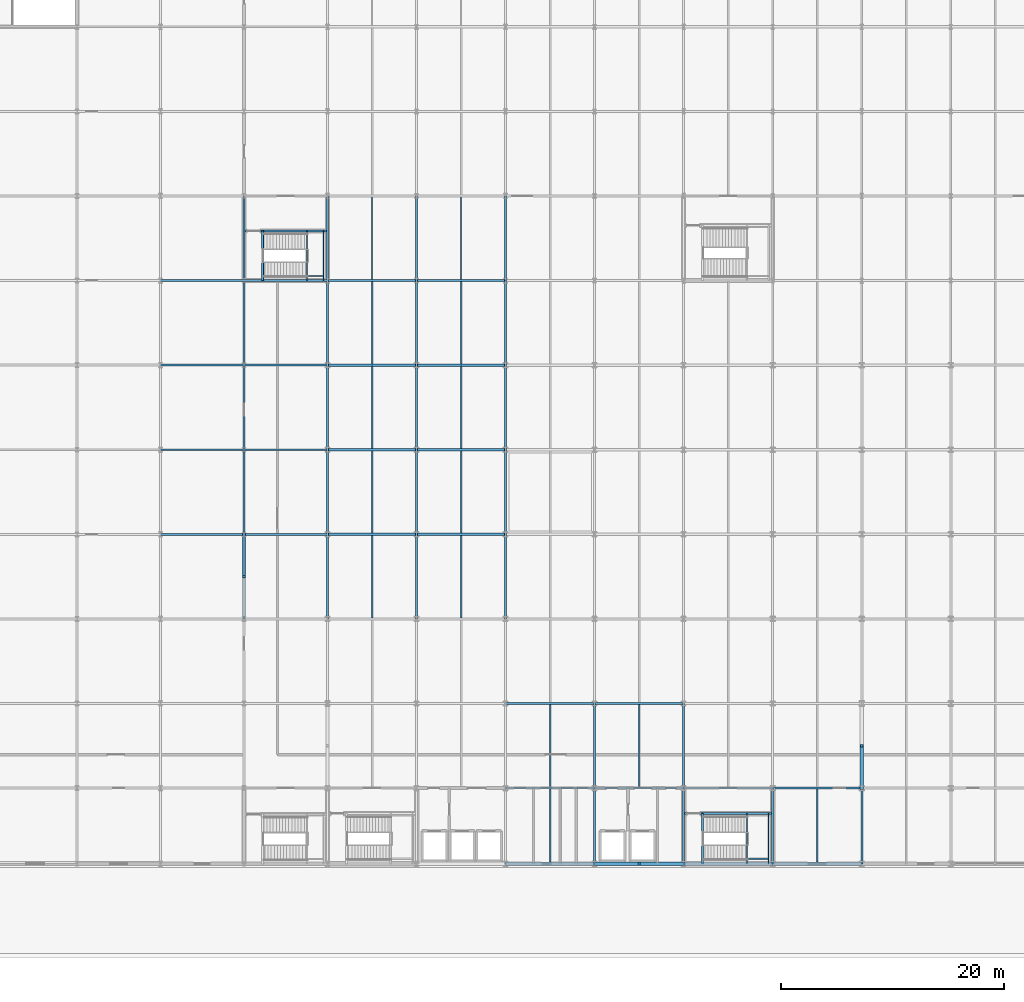
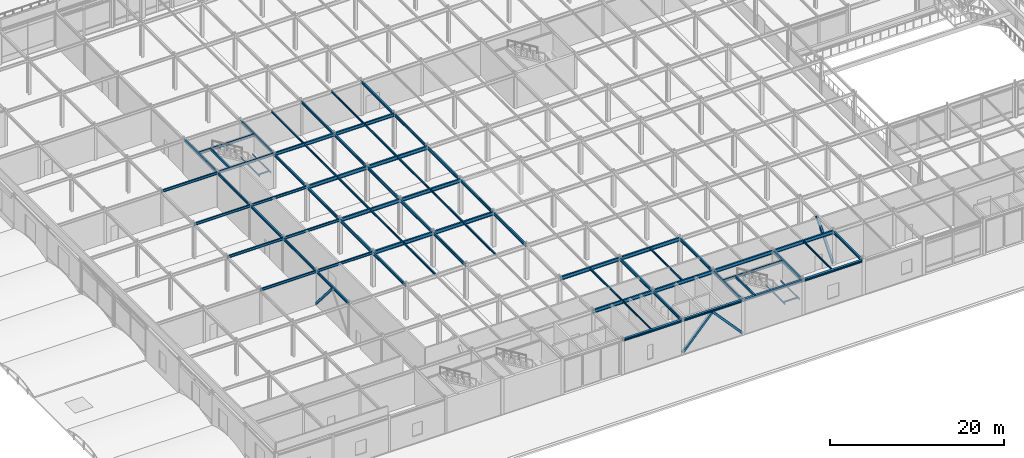
# One storey, part 24 of 113: 76 beams, 4 members.
"""IFC4 building model written with IfcOpenShell, lengths in metres."""

from ifc_helpers import new_model, si_unit, direction, frame, origin, origin_2d, place, context, subcontext, project, spatial, hollow_rectangle, i_section, extrude, material, material_profile, profile_set, type_object, element, save


model = new_model("IFC4")

# Units and contexts
model_context = context("Model", 3, precision=1e-05, world=origin(), true_north=direction((0.0, 1.0)))
body_context = subcontext(model_context, "Body", "Model", "MODEL_VIEW")
ifc_project = project(units=[si_unit("LENGTHUNIT", "METRE"), si_unit("AREAUNIT", "SQUARE_METRE"), si_unit("VOLUMEUNIT", "CUBIC_METRE"), si_unit("PLANEANGLEUNIT", "RADIAN"), si_unit("MASSUNIT", "GRAM", prefix="KILO")], contexts=[model_context])

# Site, building, storey
site_placement = place(None, origin())
site = spatial("IfcSite", under=ifc_project, at=site_placement, CompositionType="ELEMENT")
building_placement = place(site_placement, origin())
building = spatial("IfcBuilding", under=site, at=building_placement, Name="Shalkamar Park Central Library", CompositionType="ELEMENT")
storey_placement = place(building_placement, frame((0.0, 0.0, 5.39990234375)))
storey = spatial("IfcBuildingStorey", under=building, at=storey_placement, Name="L02", CompositionType="ELEMENT", Elevation=5.39990234375)

# Beams
ifc_material = material(Name="Steel S355", Category="steel")
ifc_material_profile_1 = material_profile(ifc_material, i_section(OverallWidth=0.10009765625, OverallDepth=0.199951171875, WebThickness=0.005615234375, FlangeThickness=0.008544921875, FilletRadius=0.011962890625, at=origin_2d()), Name="IPE 200")
ifc_profile_set_1 = profile_set([ifc_material_profile_1], Name="Steel S355")
beam_type_1 = type_object("IfcBeamType", Name="Composite Floor Joist IPE200", PredefinedType="JOIST", material=ifc_profile_set_1)
for number, where, z_axis, x_axis, name in (
    (1, (202.679931640625, 248.39990234375, 2.170166015625), (0.0, 1.0, 0.0), (-1.0, 0.0, 0.0), "Stair Half-Landing Beam ST-T2-L02-1"),
    (2, (204.6201171875, 248.39990234375, 2.170166015625), (0.0, 1.0, 0.0), (-1.0, 0.0, 0.0), "Stair Half-Landing Beam ST-T2-L02-2"),
):
    element("IfcBeam", number, at=place(storey_placement, frame(where, z_axis=z_axis, x_axis=x_axis)), inside=storey, type_object=beam_type_1, Name=name, PredefinedType="JOIST", context=body_context, shape_type="SweptSolid", body=[
        extrude(i_section(OverallWidth=0.10009765625, OverallDepth=0.199951171875, WebThickness=0.005615234375, FlangeThickness=0.008544921875, FilletRadius=0.011962890625, at=origin_2d()), origin(), (0.0, 0.0, 1.0), 4.5),
    ])
beam_1_placement = place(storey_placement, frame((202.679931640625, 248.85009765625, 2.170166015625), z_axis=(1.0, 0.0, 0.0), x_axis=(0.0, 1.0, 0.0)))
element("IfcBeam", 3, at=beam_1_placement, inside=storey, type_object=beam_type_1, Name="Stair Half-Landing Cross Tie ST-T2-L02-3", PredefinedType="JOIST", context=body_context, shape_type="SweptSolid", body=[
    extrude(i_section(OverallWidth=0.10009765625, OverallDepth=0.199951171875, WebThickness=0.005615234375, FlangeThickness=0.008544921875, FilletRadius=0.011962890625, at=origin_2d()), origin(), (0.0, 0.0, 1.0), 1.940185546875),
])
for number, where, z_axis, x_axis, name in (
    (4, (163.155029296875, 300.800048828125, 2.170166015625), (0.0, 1.0, 0.0), (-1.0, 0.0, 0.0), "Stair Half-Landing Beam ST-P2-L02-1"),
    (5, (164.64501953125, 300.800048828125, 2.170166015625), (0.0, 1.0, 0.0), (-1.0, 0.0, 0.0), "Stair Half-Landing Beam ST-P2-L02-2"),
):
    element("IfcBeam", number, at=place(storey_placement, frame(where, z_axis=z_axis, x_axis=x_axis)), inside=storey, type_object=beam_type_1, Name=name, PredefinedType="JOIST", context=body_context, shape_type="SweptSolid", body=[
        extrude(i_section(OverallWidth=0.10009765625, OverallDepth=0.199951171875, WebThickness=0.005615234375, FlangeThickness=0.008544921875, FilletRadius=0.011962890625, at=origin_2d()), origin(), (0.0, 0.0, 1.0), 4.449951171875),
    ])
beam_2_placement = place(storey_placement, frame((163.155029296875, 301.22509765625, 2.170166015625), z_axis=(1.0, 0.0, 0.0), x_axis=(0.0, 1.0, 0.0)))
element("IfcBeam", 6, at=beam_2_placement, inside=storey, type_object=beam_type_1, Name="Stair Half-Landing Cross Tie ST-P2-L02-3", PredefinedType="JOIST", context=body_context, shape_type="SweptSolid", body=[
    extrude(i_section(OverallWidth=0.10009765625, OverallDepth=0.199951171875, WebThickness=0.005615234375, FlangeThickness=0.008544921875, FilletRadius=0.011962890625, at=origin_2d()), origin(), (0.0, 0.0, 1.0), 1.489990234375),
])
ifc_material_profile_2 = material_profile(ifc_material, i_section(OverallWidth=0.1201171875, OverallDepth=0.239990234375, WebThickness=0.006103515625, FlangeThickness=0.009765625, FilletRadius=0.014892578125, at=origin_2d()), Name="IPE 240")
ifc_profile_set_2 = profile_set([ifc_material_profile_2], Name="Steel S355")
beam_type_2 = type_object("IfcBeamType", Name="Composite Floor Joist IPE240", PredefinedType="JOIST", material=ifc_profile_set_2)
for number, where, z_axis, x_axis, name in (
    (7, (169.0, 300.89306640625, 4.739990234375), (0.0, 1.0, 0.0), (-1.0, 0.0, 0.0), "Composite Joist 07/J-1 (L02)"),
    (8, (177.0, 300.89306640625, 4.739990234375), (0.0, 1.0, 0.0), (-1.0, 0.0, 0.0), "Composite Joist 08/J-1 (L02)"),
):
    element("IfcBeam", number, at=place(storey_placement, frame(where, z_axis=z_axis, x_axis=x_axis)), inside=storey, type_object=beam_type_2, Name=name, PredefinedType="JOIST", context=body_context, shape_type="SweptSolid", body=[
        extrude(i_section(OverallWidth=0.1201171875, OverallDepth=0.239990234375, WebThickness=0.006103515625, FlangeThickness=0.009765625, FilletRadius=0.014892578125, at=origin_2d()), origin(), (0.0, 0.0, 1.0), 7.413818359375),
    ])
for number, where, z_axis, x_axis, name in (
    (9, (185.0, 248.548095703125, 4.739990234375), (0.0, 1.0, 0.0), (-1.0, 0.0, 0.0), "Composite Joist 09/B-1 (L02)"),
    (10, (209.0, 248.548095703125, 4.739990234375), (0.0, 1.0, 0.0), (-1.0, 0.0, 0.0), "Composite Joist 12/B-1 (L02)"),
):
    element("IfcBeam", number, at=place(storey_placement, frame(where, z_axis=z_axis, x_axis=x_axis)), inside=storey, type_object=beam_type_2, Name=name, PredefinedType="JOIST", context=body_context, shape_type="SweptSolid", body=[
        extrude(i_section(OverallWidth=0.1201171875, OverallDepth=0.239990234375, WebThickness=0.006103515625, FlangeThickness=0.009765625, FilletRadius=0.014892578125, at=origin_2d()), origin(), (0.0, 0.0, 1.0), 6.553955078125),
    ])
ifc_material_profile_3 = material_profile(ifc_material, i_section(OverallWidth=0.135009765625, OverallDepth=0.27001953125, WebThickness=0.006591796875, FlangeThickness=0.01025390625, FilletRadius=0.014892578125, at=origin_2d()), Name="IPE 270")
ifc_profile_set_3 = profile_set([ifc_material_profile_3], Name="Steel S355")
beam_type_3 = type_object("IfcBeamType", Name="Composite Floor Joist IPE270", PredefinedType="JOIST", material=ifc_profile_set_3)
for number, where, z_axis, x_axis, name in (
    (11, (169.0, 270.498046875, 4.72509765625), (0.0, 1.0, 0.0), (-1.0, 0.0, 0.0), "Composite Joist 07/E-1 (L02)"),
    (12, (169.0, 278.097900390625, 4.72509765625), (0.0, 1.0, 0.0), (-1.0, 0.0, 0.0), "Composite Joist 07/F-1 (L02)"),
    (13, (169.0, 285.697998046875, 4.72509765625), (0.0, 1.0, 0.0), (-1.0, 0.0, 0.0), "Composite Joist 07/G-1 (L02)"),
):
    element("IfcBeam", number, at=place(storey_placement, frame(where, z_axis=z_axis, x_axis=x_axis)), inside=storey, type_object=beam_type_3, Name=name, PredefinedType="JOIST", context=body_context, shape_type="SweptSolid", body=[
        extrude(i_section(OverallWidth=0.135009765625, OverallDepth=0.27001953125, WebThickness=0.006591796875, FlangeThickness=0.01025390625, FilletRadius=0.014892578125, at=origin_2d()), origin(), (0.0, 0.0, 1.0), 7.404052734375),
    ])
beam_3_placement = place(storey_placement, frame((169.0, 293.298095703125, 4.72509765625), z_axis=(0.0, 1.0, 0.0), x_axis=(-1.0, 0.0, 0.0)))
element("IfcBeam", 14, at=beam_3_placement, inside=storey, type_object=beam_type_3, Name="Composite Joist 07/H-1 (L02)", PredefinedType="JOIST", context=body_context, shape_type="SweptSolid", body=[
    extrude(i_section(OverallWidth=0.135009765625, OverallDepth=0.27001953125, WebThickness=0.006591796875, FlangeThickness=0.01025390625, FilletRadius=0.014892578125, at=origin_2d()), origin(), (0.0, 0.0, 1.0), 7.408935546875),
])
for number, where, z_axis, x_axis, name in (
    (15, (177.0, 270.498046875, 4.72509765625), (0.0, 1.0, 0.0), (-1.0, 0.0, 0.0), "Composite Joist 08/E-1 (L02)"),
    (16, (177.0, 278.097900390625, 4.72509765625), (0.0, 1.0, 0.0), (-1.0, 0.0, 0.0), "Composite Joist 08/F-1 (L02)"),
    (17, (177.0, 285.697998046875, 4.72509765625), (0.0, 1.0, 0.0), (-1.0, 0.0, 0.0), "Composite Joist 08/G-1 (L02)"),
):
    element("IfcBeam", number, at=place(storey_placement, frame(where, z_axis=z_axis, x_axis=x_axis)), inside=storey, type_object=beam_type_3, Name=name, PredefinedType="JOIST", context=body_context, shape_type="SweptSolid", body=[
        extrude(i_section(OverallWidth=0.135009765625, OverallDepth=0.27001953125, WebThickness=0.006591796875, FlangeThickness=0.01025390625, FilletRadius=0.014892578125, at=origin_2d()), origin(), (0.0, 0.0, 1.0), 7.404052734375),
    ])
beam_4_placement = place(storey_placement, frame((177.0, 293.298095703125, 4.72509765625), z_axis=(0.0, 1.0, 0.0), x_axis=(-1.0, 0.0, 0.0)))
element("IfcBeam", 18, at=beam_4_placement, inside=storey, type_object=beam_type_3, Name="Composite Joist 08/H-1 (L02)", PredefinedType="JOIST", context=body_context, shape_type="SweptSolid", body=[
    extrude(i_section(OverallWidth=0.135009765625, OverallDepth=0.27001953125, WebThickness=0.006591796875, FlangeThickness=0.01025390625, FilletRadius=0.014892578125, at=origin_2d()), origin(), (0.0, 0.0, 1.0), 7.408935546875),
])
for number, where, z_axis, x_axis, name in (
    (19, (185.0, 255.298095703125, 4.72509765625), (0.0, 1.0, 0.0), (-1.0, 0.0, 0.0), "Composite Joist 09/C-1 (L02)"),
    (20, (193.0, 255.298095703125, 4.72509765625), (0.0, 1.0, 0.0), (-1.0, 0.0, 0.0), "Composite Joist 10/C-1 (L02)"),
):
    element("IfcBeam", number, at=place(storey_placement, frame(where, z_axis=z_axis, x_axis=x_axis)), inside=storey, type_object=beam_type_3, Name=name, PredefinedType="JOIST", context=body_context, shape_type="SweptSolid", body=[
        extrude(i_section(OverallWidth=0.135009765625, OverallDepth=0.27001953125, WebThickness=0.006591796875, FlangeThickness=0.01025390625, FilletRadius=0.014892578125, at=origin_2d()), origin(), (0.0, 0.0, 1.0), 7.40380859375),
    ])

# Members
ifc_material_profile_4 = material_profile(ifc_material, hollow_rectangle(XDim=0.300048828125, YDim=0.300048828125, WallThickness=0.01611328125, InnerFilletRadius=0.01611328125, OuterFilletRadius=0.02392578125, at=origin_2d()), Name="SHS 300x300x16")
ifc_profile_set_4 = profile_set([ifc_material_profile_4], Name="Steel S355")
member_type = type_object("IfcMemberType", Name="Diagonal Brace SHS300", PredefinedType="BRACE", material=ifc_profile_set_4)
member_1_placement = place(storey_placement, frame((213.0, 255.199951171875, 0.150146484375), z_axis=(0.0, 0.652781978733, 0.757545832436), x_axis=(-1.0, 0.0, 0.0)))
element("IfcMember", 21, at=member_1_placement, inside=storey, type_object=member_type, Name="Chevron Brace TW-E Leg A (L02)", PredefinedType="BRACE", context=body_context, shape_type="SweptSolid", body=[
    extrude(hollow_rectangle(XDim=0.300048828125, YDim=0.300048828125, WallThickness=0.01611328125, InnerFilletRadius=0.01611328125, OuterFilletRadius=0.02392578125, at=origin_2d()), origin(), (0.0, 0.0, 1.0), 5.8212890625),
])
for number, where, z_axis, x_axis, name in (
    (22, (189.0, 248.39990234375, 0.150146484375), (0.671843715247, 0.0, 0.740692933869), (0.0, 1.0, 0.0), "Chevron Brace TW-S Leg A (L02)"),
    (23, (197.0, 248.39990234375, 0.150146484375), (-0.671843715247, 0.0, 0.740692933869), (0.0, -1.0, 0.0), "Chevron Brace TW-S Leg B (L02)"),
):
    element("IfcMember", number, at=place(storey_placement, frame(where, z_axis=z_axis, x_axis=x_axis)), inside=storey, type_object=member_type, Name=name, PredefinedType="BRACE", context=body_context, shape_type="SweptSolid", body=[
        extrude(hollow_rectangle(XDim=0.300048828125, YDim=0.300048828125, WallThickness=0.01611328125, InnerFilletRadius=0.01611328125, OuterFilletRadius=0.02392578125, at=origin_2d()), origin(), (0.0, 0.0, 1.0), 5.953857421875),
    ])
member_2_placement = place(storey_placement, frame((157.5, 278.0, 0.150146484375), z_axis=(0.0, -0.652781978733, 0.757545832436), x_axis=(1.0, 0.0, 0.0)))
element("IfcMember", 24, at=member_2_placement, inside=storey, type_object=member_type, Name="Chevron Brace PD-W Leg B (L02)", PredefinedType="BRACE", context=body_context, shape_type="SweptSolid", body=[
    extrude(hollow_rectangle(XDim=0.300048828125, YDim=0.300048828125, WallThickness=0.01611328125, InnerFilletRadius=0.01611328125, OuterFilletRadius=0.02392578125, at=origin_2d()), origin(), (0.0, 0.0, 1.0), 5.8212890625),
])

# Beams
ifc_material_profile_5 = material_profile(ifc_material, i_section(OverallWidth=0.300048828125, OverallDepth=0.31005859375, WebThickness=0.009033203125, FlangeThickness=0.015380859375, FilletRadius=0.027099609375, at=origin_2d()), Name="HEA 320")
ifc_profile_set_5 = profile_set([ifc_material_profile_5], Name="Steel S355")
beam_type_4 = type_object("IfcBeamType", Name="Perimeter Spandrel Beam HEA320", PredefinedType="SPANDREL", material=ifc_profile_set_5)
for number, where, z_axis, x_axis, name in (
    (25, (181.0, 248.39990234375, 4.705078125), (1.0, 0.0, 0.0), (0.0, 1.0, 0.0), "Beam B:09-10 (L02)"),
    (26, (189.0, 248.39990234375, 4.705078125), (1.0, 0.0, 0.0), (0.0, 1.0, 0.0), "Beam B:10-11 (L02)"),
    (27, (197.0, 248.39990234375, 4.705078125), (1.0, 0.0, 0.0), (0.0, 1.0, 0.0), "Beam B:11-12 (L02)"),
    (28, (205.0, 248.39990234375, 4.705078125), (1.0, 0.0, 0.0), (0.0, 1.0, 0.0), "Beam B:12-13 (L02)"),
):
    element("IfcBeam", number, at=place(storey_placement, frame(where, z_axis=z_axis, x_axis=x_axis)), inside=storey, type_object=beam_type_4, Name=name, PredefinedType="SPANDREL", context=body_context, shape_type="SweptSolid", body=[
        extrude(i_section(OverallWidth=0.300048828125, OverallDepth=0.31005859375, WebThickness=0.009033203125, FlangeThickness=0.015380859375, FilletRadius=0.027099609375, at=origin_2d()), origin(), (0.0, 0.0, 1.0), 8.0),
    ])
ifc_material_profile_6 = material_profile(ifc_material, i_section(OverallWidth=0.169921875, OverallDepth=0.360107421875, WebThickness=0.008056640625, FlangeThickness=0.0126953125, FilletRadius=0.01806640625, at=origin_2d()), Name="IPE 360")
ifc_profile_set_6 = profile_set([ifc_material_profile_6], Name="Steel S355")
beam_type_5 = type_object("IfcBeamType", Name="Primary Girder IPE360", PredefinedType="BEAM", material=ifc_profile_set_6)
for number, where, z_axis, x_axis, name in (
    (29, (150.0, 278.0, 4.670166015625), (1.0, 0.0, 0.0), (0.0, 1.0, 0.0), "Beam F:05-06 (L02)"),
    (30, (157.5, 278.0, 4.68017578125), (1.0, 0.0, 0.0), (0.0, 1.0, 0.0), "Beam F:06-07 (L02)"),
    (31, (150.0, 285.60009765625, 4.670166015625), (1.0, 0.0, 0.0), (0.0, 1.0, 0.0), "Beam G:05-06 (L02)"),
    (32, (157.5, 285.60009765625, 4.68017578125), (1.0, 0.0, 0.0), (0.0, 1.0, 0.0), "Beam G:06-07 (L02)"),
    (33, (150.0, 293.199951171875, 4.670166015625), (1.0, 0.0, 0.0), (0.0, 1.0, 0.0), "Beam H:05-06 (L02)"),
    (34, (157.5, 293.199951171875, 4.68017578125), (1.0, 0.0, 0.0), (0.0, 1.0, 0.0), "Beam H:06-07 (L02)"),
    (35, (150.0, 300.800048828125, 4.670166015625), (1.0, 0.0, 0.0), (0.0, 1.0, 0.0), "Beam J:05-06 (L02)"),
    (36, (157.5, 300.800048828125, 4.68017578125), (1.0, 0.0, 0.0), (0.0, 1.0, 0.0), "Beam J:06-07 (L02)"),
):
    element("IfcBeam", number, at=place(storey_placement, frame(where, z_axis=z_axis, x_axis=x_axis)), inside=storey, type_object=beam_type_5, Name=name, PredefinedType="BEAM", context=body_context, shape_type="SweptSolid", body=[
        extrude(i_section(OverallWidth=0.169921875, OverallDepth=0.360107421875, WebThickness=0.008056640625, FlangeThickness=0.0126953125, FilletRadius=0.01806640625, at=origin_2d()), origin(), (0.0, 0.0, 1.0), 7.5),
    ])
for number, where, z_axis, x_axis, name in (
    (37, (157.5, 270.39990234375, 4.68017578125), (0.0, 1.0, 0.0), (-1.0, 0.0, 0.0), "Beam 06:E-F (L02)"),
    (38, (157.5, 278.0, 4.68017578125), (0.0, 1.0, 0.0), (-1.0, 0.0, 0.0), "Beam 06:F-G (L02)"),
):
    element("IfcBeam", number, at=place(storey_placement, frame(where, z_axis=z_axis, x_axis=x_axis)), inside=storey, type_object=beam_type_5, Name=name, PredefinedType="BEAM", context=body_context, shape_type="SweptSolid", body=[
        extrude(i_section(OverallWidth=0.169921875, OverallDepth=0.360107421875, WebThickness=0.008056640625, FlangeThickness=0.0126953125, FilletRadius=0.01806640625, at=origin_2d()), origin(), (0.0, 0.0, 1.0), 7.60009765625),
    ])
beam_5_placement = place(storey_placement, frame((157.5, 285.60009765625, 4.68017578125), z_axis=(0.0, 1.0, 0.0), x_axis=(-1.0, 0.0, 0.0)))
element("IfcBeam", 39, at=beam_5_placement, inside=storey, type_object=beam_type_5, Name="Beam 06:G-H (L02)", PredefinedType="BEAM", context=body_context, shape_type="SweptSolid", body=[
    extrude(i_section(OverallWidth=0.169921875, OverallDepth=0.360107421875, WebThickness=0.008056640625, FlangeThickness=0.0126953125, FilletRadius=0.01806640625, at=origin_2d()), origin(), (0.0, 0.0, 1.0), 7.599853515625),
])
beam_6_placement = place(storey_placement, frame((157.5, 293.199951171875, 4.68017578125), z_axis=(0.0, 1.0, 0.0), x_axis=(-1.0, 0.0, 0.0)))
element("IfcBeam", 40, at=beam_6_placement, inside=storey, type_object=beam_type_5, Name="Beam 06:H-J (L02)", PredefinedType="BEAM", context=body_context, shape_type="SweptSolid", body=[
    extrude(i_section(OverallWidth=0.169921875, OverallDepth=0.360107421875, WebThickness=0.008056640625, FlangeThickness=0.0126953125, FilletRadius=0.01806640625, at=origin_2d()), origin(), (0.0, 0.0, 1.0), 7.60009765625),
])
beam_7_placement = place(storey_placement, frame((157.5, 300.800048828125, 4.68017578125), z_axis=(0.0, 1.0, 0.0), x_axis=(-1.0, 0.0, 0.0)))
element("IfcBeam", 41, at=beam_7_placement, inside=storey, type_object=beam_type_5, Name="Beam 06:J-K (L02)", PredefinedType="BEAM", context=body_context, shape_type="SweptSolid", body=[
    extrude(i_section(OverallWidth=0.169921875, OverallDepth=0.360107421875, WebThickness=0.008056640625, FlangeThickness=0.0126953125, FilletRadius=0.01806640625, at=origin_2d()), origin(), (0.0, 0.0, 1.0), 7.599853515625),
])
beam_8_placement = place(storey_placement, frame((165.0, 293.199951171875, 4.68017578125), z_axis=(0.0, 1.0, 0.0), x_axis=(-1.0, 0.0, 0.0)))
element("IfcBeam", 42, at=beam_8_placement, inside=storey, type_object=beam_type_5, Name="Beam 07:H-J (L02)", PredefinedType="BEAM", context=body_context, shape_type="SweptSolid", body=[
    extrude(i_section(OverallWidth=0.169921875, OverallDepth=0.360107421875, WebThickness=0.008056640625, FlangeThickness=0.0126953125, FilletRadius=0.01806640625, at=origin_2d()), origin(), (0.0, 0.0, 1.0), 7.60009765625),
])
beam_9_placement = place(storey_placement, frame((165.0, 300.800048828125, 4.68017578125), z_axis=(0.0, 1.0, 0.0), x_axis=(-1.0, 0.0, 0.0)))
element("IfcBeam", 43, at=beam_9_placement, inside=storey, type_object=beam_type_5, Name="Beam 07:J-K (L02)", PredefinedType="BEAM", context=body_context, shape_type="SweptSolid", body=[
    extrude(i_section(OverallWidth=0.169921875, OverallDepth=0.360107421875, WebThickness=0.008056640625, FlangeThickness=0.0126953125, FilletRadius=0.01806640625, at=origin_2d()), origin(), (0.0, 0.0, 1.0), 7.599853515625),
])
beam_10_placement = place(storey_placement, frame((173.0, 293.199951171875, 4.68017578125), z_axis=(0.0, 1.0, 0.0), x_axis=(-1.0, 0.0, 0.0)))
element("IfcBeam", 44, at=beam_10_placement, inside=storey, type_object=beam_type_5, Name="Beam 08:H-J (L02)", PredefinedType="BEAM", context=body_context, shape_type="SweptSolid", body=[
    extrude(i_section(OverallWidth=0.169921875, OverallDepth=0.360107421875, WebThickness=0.008056640625, FlangeThickness=0.0126953125, FilletRadius=0.01806640625, at=origin_2d()), origin(), (0.0, 0.0, 1.0), 7.60009765625),
])
beam_11_placement = place(storey_placement, frame((173.0, 300.800048828125, 4.68017578125), z_axis=(0.0, 1.0, 0.0), x_axis=(-1.0, 0.0, 0.0)))
element("IfcBeam", 45, at=beam_11_placement, inside=storey, type_object=beam_type_5, Name="Beam 08:J-K (L02)", PredefinedType="BEAM", context=body_context, shape_type="SweptSolid", body=[
    extrude(i_section(OverallWidth=0.169921875, OverallDepth=0.360107421875, WebThickness=0.008056640625, FlangeThickness=0.0126953125, FilletRadius=0.01806640625, at=origin_2d()), origin(), (0.0, 0.0, 1.0), 7.599853515625),
])
beam_12_placement = place(storey_placement, frame((181.0, 293.199951171875, 4.68017578125), z_axis=(0.0, 1.0, 0.0), x_axis=(-1.0, 0.0, 0.0)))
element("IfcBeam", 46, at=beam_12_placement, inside=storey, type_object=beam_type_5, Name="Beam 09:H-J (L02)", PredefinedType="BEAM", context=body_context, shape_type="SweptSolid", body=[
    extrude(i_section(OverallWidth=0.169921875, OverallDepth=0.360107421875, WebThickness=0.008056640625, FlangeThickness=0.0126953125, FilletRadius=0.01806640625, at=origin_2d()), origin(), (0.0, 0.0, 1.0), 7.60009765625),
])
beam_13_placement = place(storey_placement, frame((181.0, 300.800048828125, 4.68017578125), z_axis=(0.0, 1.0, 0.0), x_axis=(-1.0, 0.0, 0.0)))
element("IfcBeam", 47, at=beam_13_placement, inside=storey, type_object=beam_type_5, Name="Beam 09:J-K (L02)", PredefinedType="BEAM", context=body_context, shape_type="SweptSolid", body=[
    extrude(i_section(OverallWidth=0.169921875, OverallDepth=0.360107421875, WebThickness=0.008056640625, FlangeThickness=0.0126953125, FilletRadius=0.01806640625, at=origin_2d()), origin(), (0.0, 0.0, 1.0), 7.599853515625),
])
beam_14_placement = place(storey_placement, frame((197.087890625, 252.89990234375, 4.68017578125), z_axis=(1.0, 0.0, 0.0), x_axis=(0.0, 1.0, 0.0)))
element("IfcBeam", 48, at=beam_14_placement, inside=storey, type_object=beam_type_5, Name="CORE-T2 Stairwell Divider Beam (L02)", PredefinedType="BEAM", context=body_context, shape_type="SweptSolid", body=[
    extrude(i_section(OverallWidth=0.169921875, OverallDepth=0.360107421875, WebThickness=0.008056640625, FlangeThickness=0.0126953125, FilletRadius=0.01806640625, at=origin_2d()), origin(), (0.0, 0.0, 1.0), 7.82421875),
])
beam_15_placement = place(storey_placement, frame((157.587890625, 305.25, 4.68017578125), z_axis=(1.0, 0.0, 0.0), x_axis=(0.0, 1.0, 0.0)))
element("IfcBeam", 49, at=beam_15_placement, inside=storey, type_object=beam_type_5, Name="CORE-P2 Stairwell Divider Beam (L02)", PredefinedType="BEAM", context=body_context, shape_type="SweptSolid", body=[
    extrude(i_section(OverallWidth=0.169921875, OverallDepth=0.360107421875, WebThickness=0.008056640625, FlangeThickness=0.0126953125, FilletRadius=0.01806640625, at=origin_2d()), origin(), (0.0, 0.0, 1.0), 7.32421875),
])
ifc_material_profile_7 = material_profile(ifc_material, i_section(OverallWidth=0.179931640625, OverallDepth=0.39990234375, WebThickness=0.008544921875, FlangeThickness=0.013427734375, FilletRadius=0.02099609375, at=origin_2d()), Name="IPE 400")
ifc_profile_set_7 = profile_set([ifc_material_profile_7], Name="Steel S355")
beam_type_6 = type_object("IfcBeamType", Name="Primary Girder IPE400", PredefinedType="BEAM", material=ifc_profile_set_7)
for number, where, z_axis, x_axis, name in (
    (50, (165.0, 270.39990234375, 4.66015625), (0.0, 1.0, 0.0), (-1.0, 0.0, 0.0), "Beam 07:E-F (L02)"),
    (51, (165.0, 278.0, 4.66015625), (0.0, 1.0, 0.0), (-1.0, 0.0, 0.0), "Beam 07:F-G (L02)"),
):
    element("IfcBeam", number, at=place(storey_placement, frame(where, z_axis=z_axis, x_axis=x_axis)), inside=storey, type_object=beam_type_6, Name=name, PredefinedType="BEAM", context=body_context, shape_type="SweptSolid", body=[
        extrude(i_section(OverallWidth=0.179931640625, OverallDepth=0.39990234375, WebThickness=0.008544921875, FlangeThickness=0.013427734375, FilletRadius=0.02099609375, at=origin_2d()), origin(), (0.0, 0.0, 1.0), 7.60009765625),
    ])
beam_16_placement = place(storey_placement, frame((165.0, 285.60009765625, 4.66015625), z_axis=(0.0, 1.0, 0.0), x_axis=(-1.0, 0.0, 0.0)))
element("IfcBeam", 52, at=beam_16_placement, inside=storey, type_object=beam_type_6, Name="Beam 07:G-H (L02)", PredefinedType="BEAM", context=body_context, shape_type="SweptSolid", body=[
    extrude(i_section(OverallWidth=0.179931640625, OverallDepth=0.39990234375, WebThickness=0.008544921875, FlangeThickness=0.013427734375, FilletRadius=0.02099609375, at=origin_2d()), origin(), (0.0, 0.0, 1.0), 7.599853515625),
])
for number, where, z_axis, x_axis, name in (
    (53, (173.0, 270.39990234375, 4.66015625), (0.0, 1.0, 0.0), (-1.0, 0.0, 0.0), "Beam 08:E-F (L02)"),
    (54, (173.0, 278.0, 4.66015625), (0.0, 1.0, 0.0), (-1.0, 0.0, 0.0), "Beam 08:F-G (L02)"),
):
    element("IfcBeam", number, at=place(storey_placement, frame(where, z_axis=z_axis, x_axis=x_axis)), inside=storey, type_object=beam_type_6, Name=name, PredefinedType="BEAM", context=body_context, shape_type="SweptSolid", body=[
        extrude(i_section(OverallWidth=0.179931640625, OverallDepth=0.39990234375, WebThickness=0.008544921875, FlangeThickness=0.013427734375, FilletRadius=0.02099609375, at=origin_2d()), origin(), (0.0, 0.0, 1.0), 7.60009765625),
    ])
beam_17_placement = place(storey_placement, frame((173.0, 285.60009765625, 4.66015625), z_axis=(0.0, 1.0, 0.0), x_axis=(-1.0, 0.0, 0.0)))
element("IfcBeam", 55, at=beam_17_placement, inside=storey, type_object=beam_type_6, Name="Beam 08:G-H (L02)", PredefinedType="BEAM", context=body_context, shape_type="SweptSolid", body=[
    extrude(i_section(OverallWidth=0.179931640625, OverallDepth=0.39990234375, WebThickness=0.008544921875, FlangeThickness=0.013427734375, FilletRadius=0.02099609375, at=origin_2d()), origin(), (0.0, 0.0, 1.0), 7.599853515625),
])
for number, where, z_axis, x_axis, name in (
    (56, (181.0, 270.39990234375, 4.66015625), (0.0, 1.0, 0.0), (-1.0, 0.0, 0.0), "Beam 09:E-F (L02)"),
    (57, (181.0, 278.0, 4.66015625), (0.0, 1.0, 0.0), (-1.0, 0.0, 0.0), "Beam 09:F-G (L02)"),
):
    element("IfcBeam", number, at=place(storey_placement, frame(where, z_axis=z_axis, x_axis=x_axis)), inside=storey, type_object=beam_type_6, Name=name, PredefinedType="BEAM", context=body_context, shape_type="SweptSolid", body=[
        extrude(i_section(OverallWidth=0.179931640625, OverallDepth=0.39990234375, WebThickness=0.008544921875, FlangeThickness=0.013427734375, FilletRadius=0.02099609375, at=origin_2d()), origin(), (0.0, 0.0, 1.0), 7.60009765625),
    ])
beam_18_placement = place(storey_placement, frame((181.0, 285.60009765625, 4.66015625), z_axis=(0.0, 1.0, 0.0), x_axis=(-1.0, 0.0, 0.0)))
element("IfcBeam", 58, at=beam_18_placement, inside=storey, type_object=beam_type_6, Name="Beam 09:G-H (L02)", PredefinedType="BEAM", context=body_context, shape_type="SweptSolid", body=[
    extrude(i_section(OverallWidth=0.179931640625, OverallDepth=0.39990234375, WebThickness=0.008544921875, FlangeThickness=0.013427734375, FilletRadius=0.02099609375, at=origin_2d()), origin(), (0.0, 0.0, 1.0), 7.599853515625),
])
beam_19_placement = place(storey_placement, frame((189.0, 248.39990234375, 4.66015625), z_axis=(0.0, 1.0, 0.0), x_axis=(-1.0, 0.0, 0.0)))
element("IfcBeam", 59, at=beam_19_placement, inside=storey, type_object=beam_type_6, Name="Beam 10:B-C (L02)", PredefinedType="BEAM", context=body_context, shape_type="SweptSolid", body=[
    extrude(i_section(OverallWidth=0.179931640625, OverallDepth=0.39990234375, WebThickness=0.008544921875, FlangeThickness=0.013427734375, FilletRadius=0.02099609375, at=origin_2d()), origin(), (0.0, 0.0, 1.0), 6.800048828125),
])
beam_20_placement = place(storey_placement, frame((189.0, 255.199951171875, 4.66015625), z_axis=(0.0, 1.0, 0.0), x_axis=(-1.0, 0.0, 0.0)))
element("IfcBeam", 60, at=beam_20_placement, inside=storey, type_object=beam_type_6, Name="Beam 10:C-D (L02)", PredefinedType="BEAM", context=body_context, shape_type="SweptSolid", body=[
    extrude(i_section(OverallWidth=0.179931640625, OverallDepth=0.39990234375, WebThickness=0.008544921875, FlangeThickness=0.013427734375, FilletRadius=0.02099609375, at=origin_2d()), origin(), (0.0, 0.0, 1.0), 7.60009765625),
])
beam_21_placement = place(storey_placement, frame((197.0, 248.39990234375, 4.66015625), z_axis=(0.0, 1.0, 0.0), x_axis=(-1.0, 0.0, 0.0)))
element("IfcBeam", 61, at=beam_21_placement, inside=storey, type_object=beam_type_6, Name="Beam 11:B-C (L02)", PredefinedType="BEAM", context=body_context, shape_type="SweptSolid", body=[
    extrude(i_section(OverallWidth=0.179931640625, OverallDepth=0.39990234375, WebThickness=0.008544921875, FlangeThickness=0.013427734375, FilletRadius=0.02099609375, at=origin_2d()), origin(), (0.0, 0.0, 1.0), 6.800048828125),
])
beam_22_placement = place(storey_placement, frame((197.0, 255.199951171875, 4.66015625), z_axis=(0.0, 1.0, 0.0), x_axis=(-1.0, 0.0, 0.0)))
element("IfcBeam", 62, at=beam_22_placement, inside=storey, type_object=beam_type_6, Name="Beam 11:C-D (L02)", PredefinedType="BEAM", context=body_context, shape_type="SweptSolid", body=[
    extrude(i_section(OverallWidth=0.179931640625, OverallDepth=0.39990234375, WebThickness=0.008544921875, FlangeThickness=0.013427734375, FilletRadius=0.02099609375, at=origin_2d()), origin(), (0.0, 0.0, 1.0), 7.60009765625),
])
for number, where, z_axis, x_axis, name in (
    (63, (205.0, 248.39990234375, 4.66015625), (0.0, 1.0, 0.0), (-1.0, 0.0, 0.0), "Beam 12:B-C (L02)"),
    (64, (213.0, 248.39990234375, 4.66015625), (0.0, 1.0, 0.0), (-1.0, 0.0, 0.0), "Beam 13:B-C (L02)"),
):
    element("IfcBeam", number, at=place(storey_placement, frame(where, z_axis=z_axis, x_axis=x_axis)), inside=storey, type_object=beam_type_6, Name=name, PredefinedType="BEAM", context=body_context, shape_type="SweptSolid", body=[
        extrude(i_section(OverallWidth=0.179931640625, OverallDepth=0.39990234375, WebThickness=0.008544921875, FlangeThickness=0.013427734375, FilletRadius=0.02099609375, at=origin_2d()), origin(), (0.0, 0.0, 1.0), 6.800048828125),
    ])
ifc_material_profile_8 = material_profile(ifc_material, i_section(OverallWidth=0.18994140625, OverallDepth=0.449951171875, WebThickness=0.009521484375, FlangeThickness=0.0146484375, FilletRadius=0.02099609375, at=origin_2d()), Name="IPE 450")
ifc_profile_set_8 = profile_set([ifc_material_profile_8], Name="Steel S355")
beam_type_7 = type_object("IfcBeamType", Name="Primary Girder IPE450", PredefinedType="BEAM", material=ifc_profile_set_8)
for number, where, z_axis, x_axis, name in (
    (65, (165.0, 300.800048828125, 4.635009765625), (1.0, 0.0, 0.0), (0.0, 1.0, 0.0), "Beam J:07-08 (L02)"),
    (66, (173.0, 300.800048828125, 4.635009765625), (1.0, 0.0, 0.0), (0.0, 1.0, 0.0), "Beam J:08-09 (L02)"),
):
    element("IfcBeam", number, at=place(storey_placement, frame(where, z_axis=z_axis, x_axis=x_axis)), inside=storey, type_object=beam_type_7, Name=name, PredefinedType="BEAM", context=body_context, shape_type="SweptSolid", body=[
        extrude(i_section(OverallWidth=0.18994140625, OverallDepth=0.449951171875, WebThickness=0.009521484375, FlangeThickness=0.0146484375, FilletRadius=0.02099609375, at=origin_2d()), origin(), (0.0, 0.0, 1.0), 8.0),
    ])
ifc_material_profile_9 = material_profile(ifc_material, i_section(OverallWidth=0.199951171875, OverallDepth=0.5, WebThickness=0.01025390625, FlangeThickness=0.01611328125, FilletRadius=0.02099609375, at=origin_2d()), Name="IPE 500")
ifc_profile_set_9 = profile_set([ifc_material_profile_9], Name="Steel S355")
beam_type_8 = type_object("IfcBeamType", Name="Primary Girder IPE500", PredefinedType="BEAM", material=ifc_profile_set_9)
for number, where, z_axis, x_axis, name in (
    (67, (181.0, 255.199951171875, 4.610107421875), (1.0, 0.0, 0.0), (0.0, 1.0, 0.0), "Beam C:09-10 (L02)"),
    (68, (189.0, 255.199951171875, 4.610107421875), (1.0, 0.0, 0.0), (0.0, 1.0, 0.0), "Beam C:10-11 (L02)"),
    (69, (197.0, 255.199951171875, 4.610107421875), (1.0, 0.0, 0.0), (0.0, 1.0, 0.0), "Beam C:11-12 (L02)"),
    (70, (205.0, 255.199951171875, 4.610107421875), (1.0, 0.0, 0.0), (0.0, 1.0, 0.0), "Beam C:12-13 (L02)"),
    (71, (181.0, 262.800048828125, 4.610107421875), (1.0, 0.0, 0.0), (0.0, 1.0, 0.0), "Beam D:09-10 (L02)"),
    (72, (189.0, 262.800048828125, 4.610107421875), (1.0, 0.0, 0.0), (0.0, 1.0, 0.0), "Beam D:10-11 (L02)"),
    (73, (165.0, 278.0, 4.610107421875), (1.0, 0.0, 0.0), (0.0, 1.0, 0.0), "Beam F:07-08 (L02)"),
    (74, (173.0, 278.0, 4.610107421875), (1.0, 0.0, 0.0), (0.0, 1.0, 0.0), "Beam F:08-09 (L02)"),
    (75, (165.0, 285.60009765625, 4.610107421875), (1.0, 0.0, 0.0), (0.0, 1.0, 0.0), "Beam G:07-08 (L02)"),
    (76, (173.0, 285.60009765625, 4.610107421875), (1.0, 0.0, 0.0), (0.0, 1.0, 0.0), "Beam G:08-09 (L02)"),
    (77, (165.0, 293.199951171875, 4.610107421875), (1.0, 0.0, 0.0), (0.0, 1.0, 0.0), "Beam H:07-08 (L02)"),
    (78, (173.0, 293.199951171875, 4.610107421875), (1.0, 0.0, 0.0), (0.0, 1.0, 0.0), "Beam H:08-09 (L02)"),
):
    element("IfcBeam", number, at=place(storey_placement, frame(where, z_axis=z_axis, x_axis=x_axis)), inside=storey, type_object=beam_type_8, Name=name, PredefinedType="BEAM", context=body_context, shape_type="SweptSolid", body=[
        extrude(i_section(OverallWidth=0.199951171875, OverallDepth=0.5, WebThickness=0.01025390625, FlangeThickness=0.01611328125, FilletRadius=0.02099609375, at=origin_2d()), origin(), (0.0, 0.0, 1.0), 8.0),
    ])
ifc_material_profile_10 = material_profile(ifc_material, hollow_rectangle(XDim=0.199951171875, YDim=0.300048828125, WallThickness=0.011962890625, InnerFilletRadius=0.011962890625, OuterFilletRadius=0.01806640625, at=origin_2d()), Name="RHS 300x200x12")
ifc_profile_set_10 = profile_set([ifc_material_profile_10], Name="Steel S355")
beam_type_9 = type_object("IfcBeamType", Name="Stair Trimmer Box RHS300x200", PredefinedType="BEAM", material=ifc_profile_set_10)
beam_23_placement = place(storey_placement, frame((198.699951171875, 248.39990234375, 4.710205078125), z_axis=(0.0, 1.0, 0.0), x_axis=(-1.0, 0.0, 0.0)))
element("IfcBeam", 79, at=beam_23_placement, inside=storey, type_object=beam_type_9, Name="Stair Arrival Trimmer Girder ST-T2-L02", PredefinedType="BEAM", context=body_context, shape_type="SweptSolid", body=[
    extrude(hollow_rectangle(XDim=0.199951171875, YDim=0.300048828125, WallThickness=0.011962890625, InnerFilletRadius=0.011962890625, OuterFilletRadius=0.01806640625, at=origin_2d()), origin(), (0.0, 0.0, 1.0), 4.5),
])
beam_24_placement = place(storey_placement, frame((159.175048828125, 300.800048828125, 4.710205078125), z_axis=(0.0, 1.0, 0.0), x_axis=(-1.0, 0.0, 0.0)))
element("IfcBeam", 80, at=beam_24_placement, inside=storey, type_object=beam_type_9, Name="Stair Arrival Trimmer Girder ST-P2-L02", PredefinedType="BEAM", context=body_context, shape_type="SweptSolid", body=[
    extrude(hollow_rectangle(XDim=0.199951171875, YDim=0.300048828125, WallThickness=0.011962890625, InnerFilletRadius=0.011962890625, OuterFilletRadius=0.01806640625, at=origin_2d()), origin(), (0.0, 0.0, 1.0), 4.449951171875),
])

save(model, "model.ifc")
